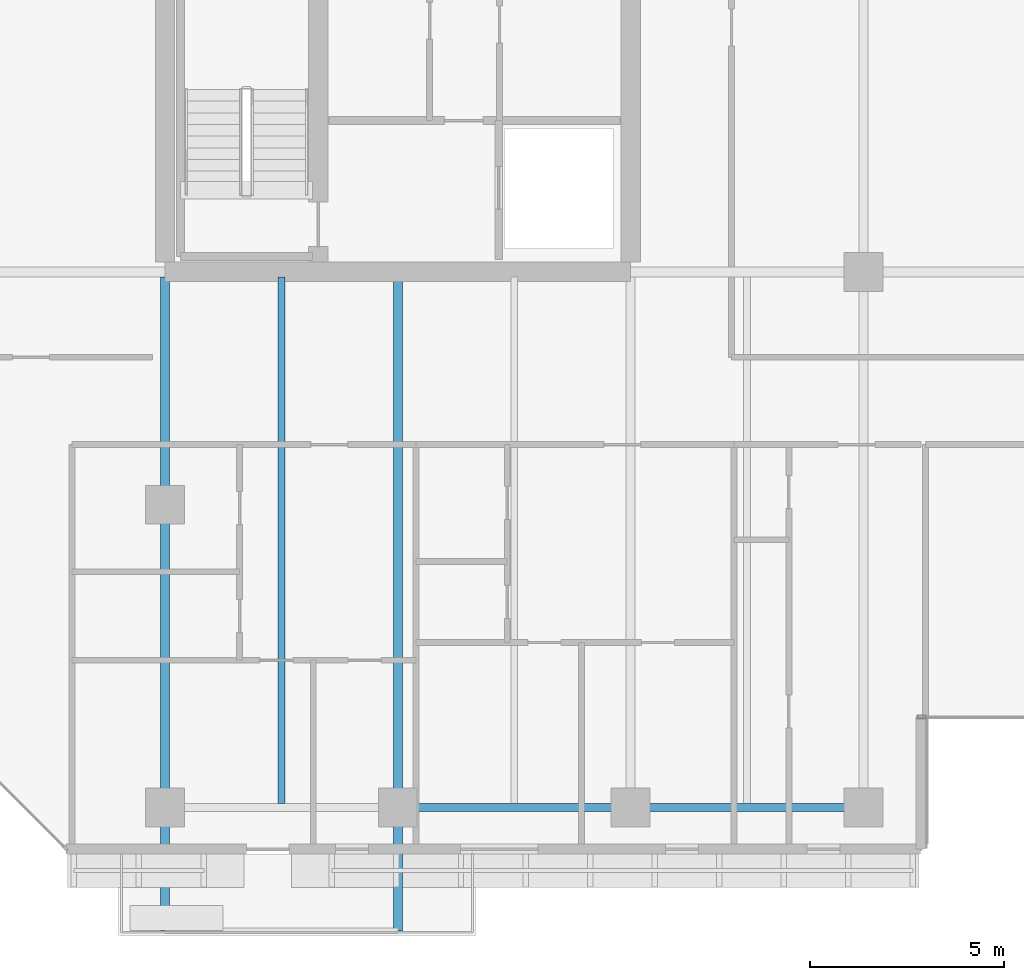
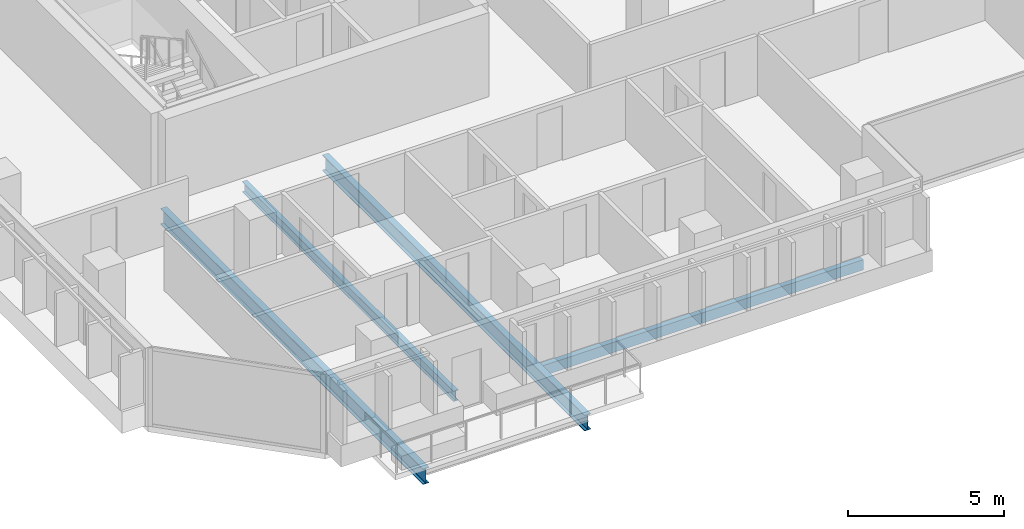
# One storey, part 3 of 35: 5 beams.
"""IFC4 building model written with IfcOpenShell, lengths in metres."""

from ifc_helpers import new_model, si_unit, direction, frame, origin, origin_2d, place, context, subcontext, project, spatial, hollow_rectangle, i_section, extrude, material, material_profile, profile_set, type_object, element, save


model = new_model("IFC4")

# Units and contexts
model_context = context("Model", 3, precision=1e-05, world=origin(), true_north=direction((0.0, 1.0)))
body_context = subcontext(model_context, "Body", "Model", "MODEL_VIEW")
ifc_project = project(units=[si_unit("LENGTHUNIT", "METRE"), si_unit("AREAUNIT", "SQUARE_METRE"), si_unit("VOLUMEUNIT", "CUBIC_METRE"), si_unit("PLANEANGLEUNIT", "RADIAN"), si_unit("MASSUNIT", "GRAM", prefix="KILO")], contexts=[model_context])

# Site, building, storey
site_placement = place(None, origin())
site = spatial("IfcSite", under=ifc_project, at=site_placement, CompositionType="ELEMENT")
building_placement = place(site_placement, origin())
building = spatial("IfcBuilding", under=site, at=building_placement, Name="Tanjung Sevakor Pilgrim Tower", CompositionType="ELEMENT")
storey_placement = place(building_placement, frame((0.0, 0.0, 92.070068359375)))
storey = spatial("IfcBuildingStorey", under=building, at=storey_placement, Name="L25", CompositionType="ELEMENT", Elevation=92.070068359375)

# Beams
ifc_material_1 = material(Name="Steel S355J2", Category="steel")
ifc_material_profile_1 = material_profile(ifc_material_1, i_section(OverallWidth=0.230224609375, OverallDepth=0.6171875, WebThickness=0.01318359375, FlangeThickness=0.022216796875, FilletRadius=0.0126953125, at=origin_2d()))
ifc_profile_set_1 = profile_set([ifc_material_profile_1], Name="Steel S355J2")
beam_type_1 = type_object("IfcBeamType", Name="BM-B-G3-UB_610x229x140", PredefinedType="BEAM", material=ifc_profile_set_1)
for number, where, z_axis, x_axis, name in (
    (1, (24.0, 24.47265625, -0.528564453125), (0.0, -1.0, 0.0), (1.0, 0.0, 0.0), "L25 Balcony Cantilever Beam MAIN-S1-1"),
    (2, (30.0, 24.47265625, -0.528564453125), (0.0, -1.0, 0.0), (1.0, 0.0, 0.0), "L25 Balcony Cantilever Beam MAIN-S1-2"),
):
    element("IfcBeam", number, at=place(storey_placement, frame(where, z_axis=z_axis, x_axis=x_axis)), inside=storey, type_object=beam_type_1, Name=name, PredefinedType="BEAM", context=body_context, shape_type="SweptSolid", body=[
        extrude(i_section(OverallWidth=0.230224609375, OverallDepth=0.6171875, WebThickness=0.01318359375, FlangeThickness=0.022216796875, FilletRadius=0.0126953125, at=origin_2d()), origin(), (0.0, 0.0, 1.0), 16.8525390625),
    ])
ifc_material_2 = material(Name="Steel S355J2", Category="steel")
ifc_material_profile_2 = material_profile(ifc_material_2, i_section(OverallWidth=0.1787109375, OverallDepth=0.409423828125, WebThickness=0.0087890625, FlangeThickness=0.014404296875, FilletRadius=0.01025390625, at=origin_2d()))
ifc_profile_set_2 = profile_set([ifc_material_profile_2], Name="Steel S355J2")
beam_type_2 = type_object("IfcBeamType", Name="BM-B-J3-UB_406x178x67", PredefinedType="JOIST", material=ifc_profile_set_2)
beam_placement = place(storey_placement, frame((27.0, 10.89990234375, -0.4248046875), z_axis=(0.0, 1.0, 0.0), x_axis=(-1.0, 0.0, 0.0)))
element("IfcBeam", 3, at=beam_placement, inside=storey, type_object=beam_type_2, Name="L25 MAIN Joist 001", PredefinedType="JOIST", context=body_context, shape_type="SweptSolid", body=[
    extrude(i_section(OverallWidth=0.1787109375, OverallDepth=0.409423828125, WebThickness=0.0087890625, FlangeThickness=0.014404296875, FilletRadius=0.01025390625, at=origin_2d()), origin(), (0.0, 0.0, 1.0), 13.57275390625),
])
ifc_material_3 = material(Name="Steel S355J2", Category="steel")
ifc_material_profile_3 = material_profile(ifc_material_3, hollow_rectangle(XDim=0.199951171875, YDim=0.39990234375, WallThickness=0.01611328125, at=origin_2d()))
ifc_profile_set_3 = profile_set([ifc_material_profile_3], Name="Steel S355J2")
beam_type_3 = type_object("IfcBeamType", Name="BM-B-SP2-RHS_400x200x16", PredefinedType="SPANDREL", material=ifc_profile_set_3)
for number, where, z_axis, x_axis, name in (
    (4, (30.0, 10.800048828125, -0.420166015625), (1.0, 0.0, 0.0), (0.0, 1.0, 0.0), "L25 Spandrel MAIN S-03"),
    (5, (36.0, 10.800048828125, -0.420166015625), (1.0, 0.0, 0.0), (0.0, 1.0, 0.0), "L25 Spandrel MAIN S-05"),
):
    element("IfcBeam", number, at=place(storey_placement, frame(where, z_axis=z_axis, x_axis=x_axis)), inside=storey, type_object=beam_type_3, Name=name, PredefinedType="SPANDREL", context=body_context, shape_type="SweptSolid", body=[
        extrude(hollow_rectangle(XDim=0.199951171875, YDim=0.39990234375, WallThickness=0.01611328125, at=origin_2d()), origin(), (0.0, 0.0, 1.0), 6.0),
    ])

save(model, "model.ifc")
